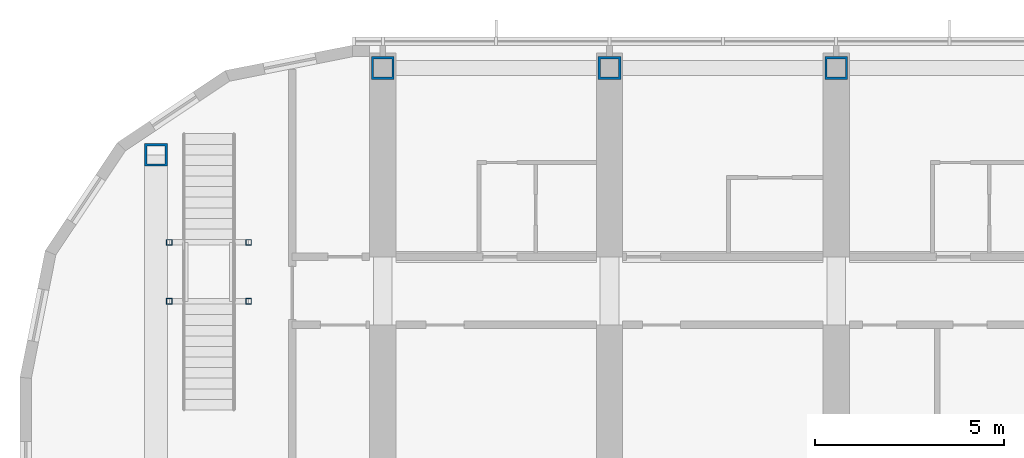
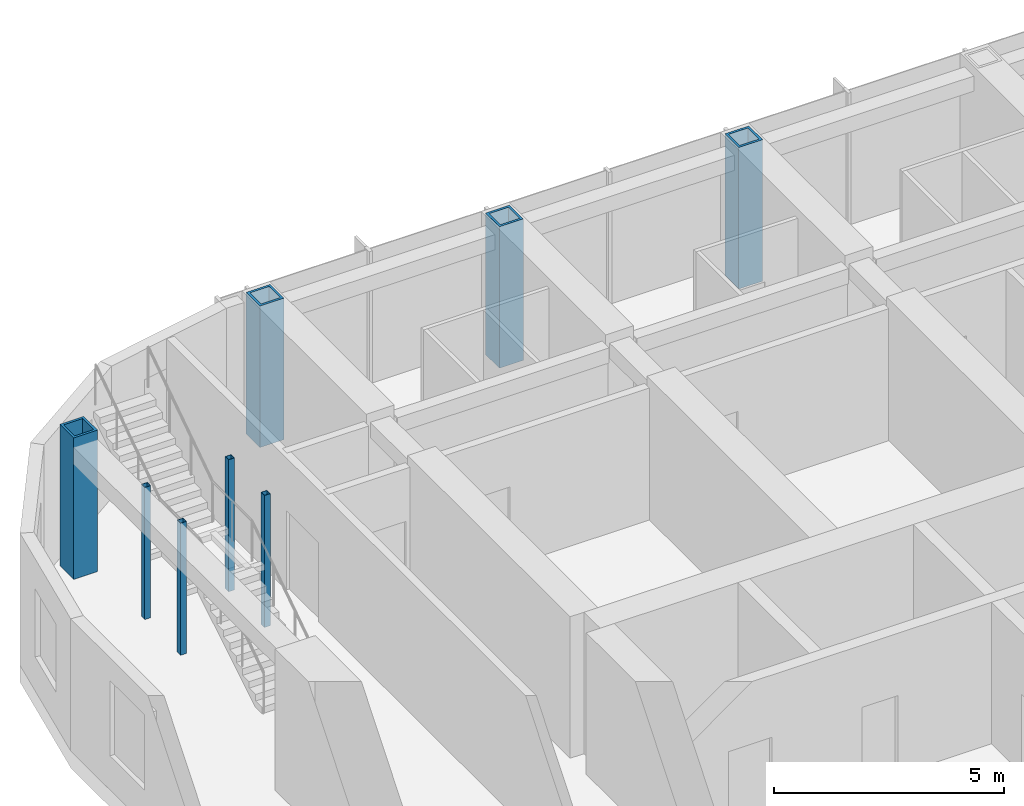
# One storey, part 2 of 26: 8 columns.
"""IFC4 building model written with IfcOpenShell, lengths in metres."""

from ifc_helpers import new_model, si_unit, direction, frame, origin, origin_2d, place, context, subcontext, project, spatial, hollow_rectangle, extrude, material, material_profile, profile_set, type_object, element, save


model = new_model("IFC4")

# Units and contexts
model_context = context("Model", 3, precision=1e-05, world=origin(), true_north=direction((0.0, 1.0)))
body_context = subcontext(model_context, "Body", "Model", "MODEL_VIEW")
ifc_project = project(units=[si_unit("LENGTHUNIT", "METRE"), si_unit("AREAUNIT", "SQUARE_METRE"), si_unit("VOLUMEUNIT", "CUBIC_METRE"), si_unit("PLANEANGLEUNIT", "RADIAN"), si_unit("MASSUNIT", "GRAM", prefix="KILO")], contexts=[model_context])

# Site, building, storey
site_placement = place(None, origin())
site = spatial("IfcSite", under=ifc_project, at=site_placement, CompositionType="ELEMENT")
building_placement = place(site_placement, origin())
building = spatial("IfcBuilding", under=site, at=building_placement, Name="Orbita Commons", CompositionType="ELEMENT")
storey_placement = place(building_placement, frame((0.0, 0.0, 231.550048828125)))
storey = spatial("IfcBuildingStorey", under=building, at=storey_placement, Name="L57", CompositionType="ELEMENT", Elevation=231.550048828125)

# Columns
ifc_material_1 = material(Name="Steel ASTM A992", Category="steel")
ifc_material_profile_1 = material_profile(ifc_material_1, hollow_rectangle(XDim=0.14990234375, YDim=0.14990234375, WallThickness=0.008056640625, at=origin_2d()), Name="SHS 150x150x8")
ifc_profile_set_1 = profile_set([ifc_material_profile_1], Name="Steel ASTM A992")
column_type_1 = type_object("IfcColumnType", Name="Landing post SHS 150x150x8", PredefinedType="COLUMN", material=ifc_profile_set_1)
for number, where, z_axis, x_axis, name in (
    (1, (12.35009765625, 46.22509765625, 0.0), (0.0, 0.0, 1.0), (1.0, 0.0, 0.0), "Neighbourhood stair L57 to L58 landing post 1"),
    (2, (14.449951171875, 46.22509765625, 0.0), (0.0, 0.0, 1.0), (1.0, 0.0, 0.0), "Neighbourhood stair L57 to L58 landing post 2"),
    (3, (12.35009765625, 47.784912109375, 0.0), (0.0, 0.0, 1.0), (1.0, 0.0, 0.0), "Neighbourhood stair L57 to L58 landing post 3"),
    (4, (14.449951171875, 47.784912109375, 0.0), (0.0, 0.0, 1.0), (1.0, 0.0, 0.0), "Neighbourhood stair L57 to L58 landing post 4"),
):
    element("IfcColumn", number, at=place(storey_placement, frame(where, z_axis=z_axis, x_axis=x_axis)), inside=storey, type_object=column_type_1, Name=name, PredefinedType="COLUMN", context=body_context, shape_type="SweptSolid", body=[
        extrude(hollow_rectangle(XDim=0.14990234375, YDim=0.14990234375, WallThickness=0.008056640625, at=origin_2d()), origin(), (0.0, 0.0, 1.0), 3.5),
    ])
ifc_material_2 = material(Name="Steel ASTM A572 Gr 50 welded plate", Category="steel")
ifc_material_profile_2 = material_profile(ifc_material_2, hollow_rectangle(XDim=0.60009765625, YDim=0.60009765625, WallThickness=0.06005859375, at=origin_2d()), Name="BOX 600x600x60")
ifc_profile_set_2 = profile_set([ifc_material_profile_2], Name="Steel ASTM A572 Gr 50 welded plate")
column_type_2 = type_object("IfcColumnType", Name="Steel column BOX 600x600x60", PredefinedType="COLUMN", material=ifc_profile_set_2)
for number, where, z_axis, x_axis, name in (
    (5, (18.0, 52.39990234375, 0.0), (0.0, 0.0, 1.0), (1.0, 0.0, 0.0), "Column 4/E L57"),
    (6, (24.0, 52.39990234375, 0.0), (0.0, 0.0, 1.0), (1.0, 0.0, 0.0), "Column 5/E L57"),
    (7, (30.0, 52.39990234375, 0.0), (0.0, 0.0, 1.0), (1.0, 0.0, 0.0), "Column 6/E L57"),
    (8, (12.0, 50.10009765625, 0.0), (0.0, 0.0, 1.0), (1.0, 0.0, 0.0), "Column 3/50.1 L57"),
):
    element("IfcColumn", number, at=place(storey_placement, frame(where, z_axis=z_axis, x_axis=x_axis)), inside=storey, type_object=column_type_2, Name=name, PredefinedType="COLUMN", context=body_context, shape_type="SweptSolid", body=[
        extrude(hollow_rectangle(XDim=0.60009765625, YDim=0.60009765625, WallThickness=0.06005859375, at=origin_2d()), origin(), (0.0, 0.0, 1.0), 3.75),
    ])

save(model, "model.ifc")
